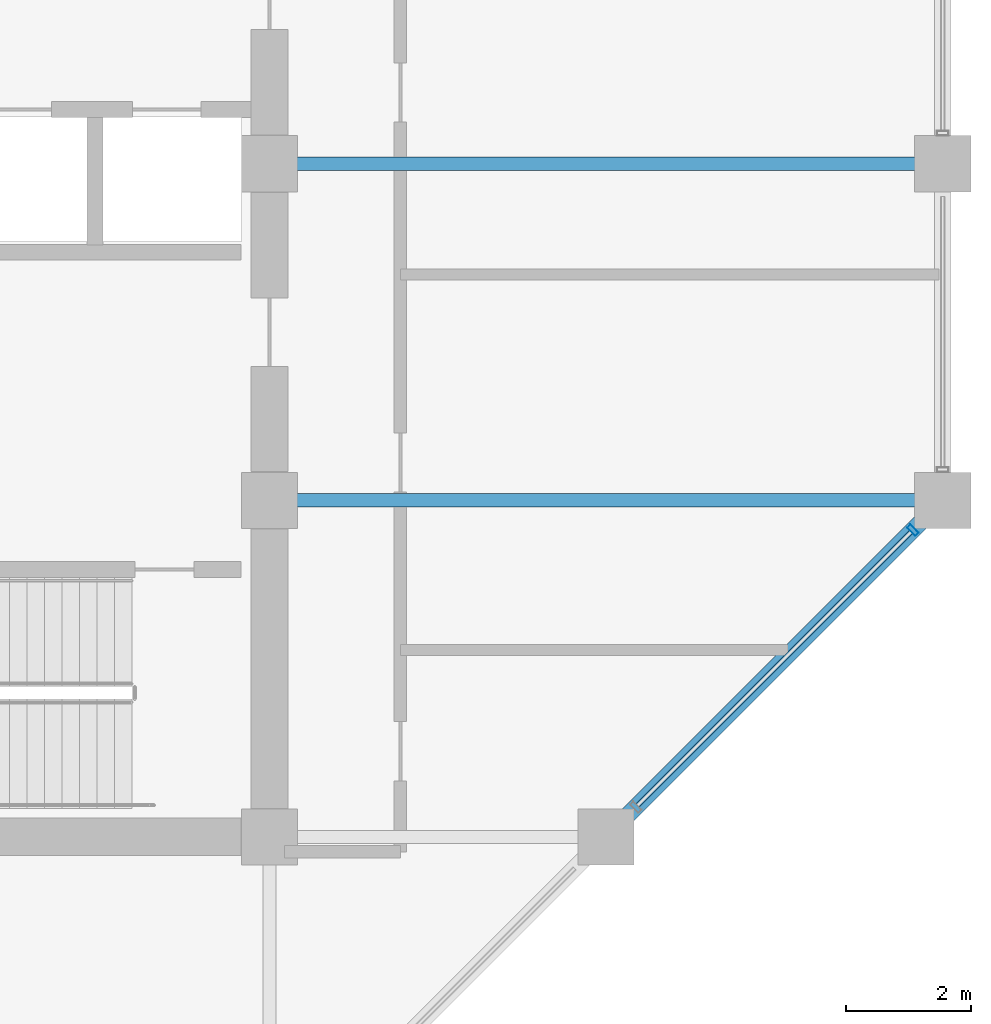
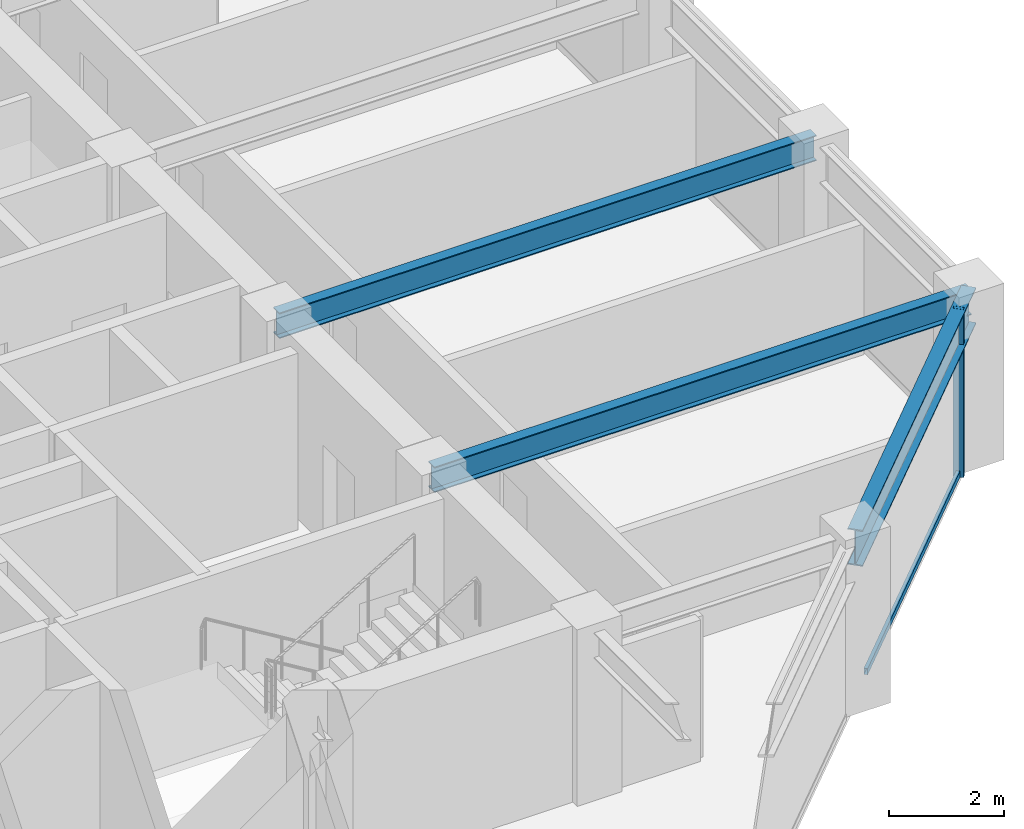
# One storey, part 13 of 32: 3 beams, 2 members, 1 element without a shape of its own.
"""IFC4 building model written with IfcOpenShell, lengths in metres."""

from ifc_helpers import new_model, si_unit, direction, frame, origin, origin_2d, place, context, subcontext, project, spatial, hollow_rectangle, i_section, extrude, material, layer, layer_set, material_profile, profile_set, type_object, element, aggregate, save


model = new_model("IFC4")

# Units and contexts
model_context = context("Model", 3, precision=1e-05, world=origin(), true_north=direction((0.0, 1.0)))
body_context = subcontext(model_context, "Body", "Model", "MODEL_VIEW")
ifc_project = project(units=[si_unit("LENGTHUNIT", "METRE"), si_unit("AREAUNIT", "SQUARE_METRE"), si_unit("VOLUMEUNIT", "CUBIC_METRE"), si_unit("PLANEANGLEUNIT", "RADIAN"), si_unit("MASSUNIT", "GRAM", prefix="KILO")], contexts=[model_context])

# Site, building, storey
site_placement = place(None, origin())
site = spatial("IfcSite", under=ifc_project, at=site_placement, CompositionType="ELEMENT")
building_placement = place(site_placement, origin())
building = spatial("IfcBuilding", under=site, at=building_placement, Name="Surkhivell Harbour Commons", CompositionType="ELEMENT")
storey_placement = place(building_placement, frame((0.0, 0.0, 197.25)))
storey = spatial("IfcBuildingStorey", under=building, at=storey_placement, Name="L51", CompositionType="ELEMENT", Elevation=197.25)

# Beams
ifc_material_1 = material(Name="Steel S355", Category="steel")
ifc_material_profile_1 = material_profile(ifc_material_1, i_section(OverallWidth=0.2119140625, OverallDepth=0.5439453125, WebThickness=0.0126953125, FlangeThickness=0.021240234375, at=origin_2d()), Name="UB533x210x122")
ifc_profile_set_1 = profile_set([ifc_material_profile_1], Name="Steel S355")
beam_type_1 = type_object("IfcBeamType", Name="BM-GRD-533A", PredefinedType="BEAM", material=ifc_profile_set_1)
for number, where, z_axis, x_axis, name in (
    (1, (10.800048828125, -5.39990234375, 3.298095703125), (1.0, 0.0, 0.0), (0.0, 1.0, 0.0), "L51 Floor Girder (10.8,-5.4)"),
    (2, (10.800048828125, 0.0, 3.298095703125), (1.0, 0.0, 0.0), (0.0, 1.0, 0.0), "L51 Floor Girder (10.8,0.0)"),
):
    element("IfcBeam", number, at=place(storey_placement, frame(where, z_axis=z_axis, x_axis=x_axis)), inside=storey, type_object=beam_type_1, Name=name, PredefinedType="BEAM", context=body_context, shape_type="SweptSolid", body=[
        extrude(i_section(OverallWidth=0.2119140625, OverallDepth=0.5439453125, WebThickness=0.0126953125, FlangeThickness=0.021240234375, at=origin_2d()), origin(), (0.0, 0.0, 1.0), 10.800048828125),
    ])
ifc_material_profile_2 = material_profile(ifc_material_1, i_section(OverallWidth=0.26806640625, OverallDepth=0.77001953125, WebThickness=0.015625, FlangeThickness=0.025390625, at=origin_2d()), Name="UB762x267x197")
ifc_profile_set_2 = profile_set([ifc_material_profile_2], Name="Steel S355")
beam_type_2 = type_object("IfcBeamType", Name="BM-SPN-762", PredefinedType="SPANDREL", material=ifc_profile_set_2)
beam_placement = place(storey_placement, frame((16.199951171875, -10.800048828125, 3.18505859375), z_axis=(0.707106781187, 0.707106781187, 0.0), x_axis=(-0.707106781187, 0.707106781187, 0.0)))
element("IfcBeam", 3, at=beam_placement, inside=storey, type_object=beam_type_2, Name="L51 Tube Spandrel (16.2,-10.8)", PredefinedType="SPANDREL", context=body_context, shape_type="SweptSolid", body=[
    extrude(i_section(OverallWidth=0.26806640625, OverallDepth=0.77001953125, WebThickness=0.015625, FlangeThickness=0.025390625, at=origin_2d()), origin(), (0.0, 0.0, 1.0), 7.636962890625),
])

# Curtain wall, members
ifc_material_2 = material(Name="Anodised pale-metal aluminium and insulated glazing", Category="aluminium")
ifc_layer = layer(ifc_material_2, 0.18994140625)
ifc_layer_set = layer_set([ifc_layer], Name="Anodised pale-metal aluminium and insulated glazing")
curtain_wall_type = type_object("IfcCurtainWallType", Name="CW-SYS-Z3", PredefinedType="NOTDEFINED", material=ifc_layer_set)
curtain_wall_placement = place(storey_placement, origin())
curtain_wall = element("IfcCurtainWall", 4, at=curtain_wall_placement, inside=storey, type_object=curtain_wall_type, Name="L51 Curtain Wall CW-L51-E01", PredefinedType="NOTDEFINED")
ifc_material_3 = material(Name="Anodised pale-metal aluminium alloy 6063-T6", Category="aluminium")
ifc_material_profile_3 = material_profile(ifc_material_3, hollow_rectangle(XDim=0.074951171875, YDim=0.18994140625, WallThickness=0.00390625, at=origin_2d()), Name="ALU-MULL-75x190")
ifc_profile_set_3 = profile_set([ifc_material_profile_3], Name="Anodised pale-metal aluminium alloy 6063-T6")
member_type_1 = type_object("IfcMemberType", Name="CWM-190", PredefinedType="MULLION", material=ifc_profile_set_3)
member_1_placement = place(storey_placement, frame((21.121826171875, -5.878173828125, 0.0), z_axis=(0.0, 0.0, 1.0), x_axis=(0.707106781187, 0.707106781187, 0.0)))
member_1 = element("IfcMember", 5, at=member_1_placement, type_object=member_type_1, Name="CW-Z3 mullion 4", PredefinedType="MULLION", context=body_context, shape_type="SweptSolid", body=[
    extrude(hollow_rectangle(XDim=0.074951171875, YDim=0.18994140625, WallThickness=0.00390625, at=origin_2d()), origin(), (0.0, 0.0, 1.0), 3.570068359375),
])
ifc_material_4 = material(Name="Champagne anodised aluminium alloy 6063-T6", Category="aluminium")
ifc_material_profile_4 = material_profile(ifc_material_4, hollow_rectangle(XDim=0.070068359375, YDim=0.1298828125, WallThickness=0.00341796875, at=origin_2d()), Name="ALU-TRAN-70x130")
ifc_profile_set_4 = profile_set([ifc_material_profile_4], Name="Champagne anodised aluminium alloy 6063-T6")
member_type_2 = type_object("IfcMemberType", Name="CWT-130", PredefinedType="USERDEFINED", material=ifc_profile_set_4)
member_2_placement = place(storey_placement, frame((16.70458984375, -10.29541015625, 0.06494140625), z_axis=(0.707106781187, 0.707106781187, 0.0), x_axis=(-0.707106781187, 0.707106781187, 0.0)))
member_2 = element("IfcMember", 6, at=member_2_placement, type_object=member_type_2, Name="CW-Z3 transom 3.1", ObjectType="TRANSOM", PredefinedType="USERDEFINED", context=body_context, shape_type="SweptSolid", body=[
    extrude(hollow_rectangle(XDim=0.070068359375, YDim=0.1298828125, WallThickness=0.00341796875, at=origin_2d()), origin(), (0.0, 0.0, 1.0), 6.209228515625),
])
aggregate(curtain_wall, [member_1, member_2])

save(model, "model.ifc")
